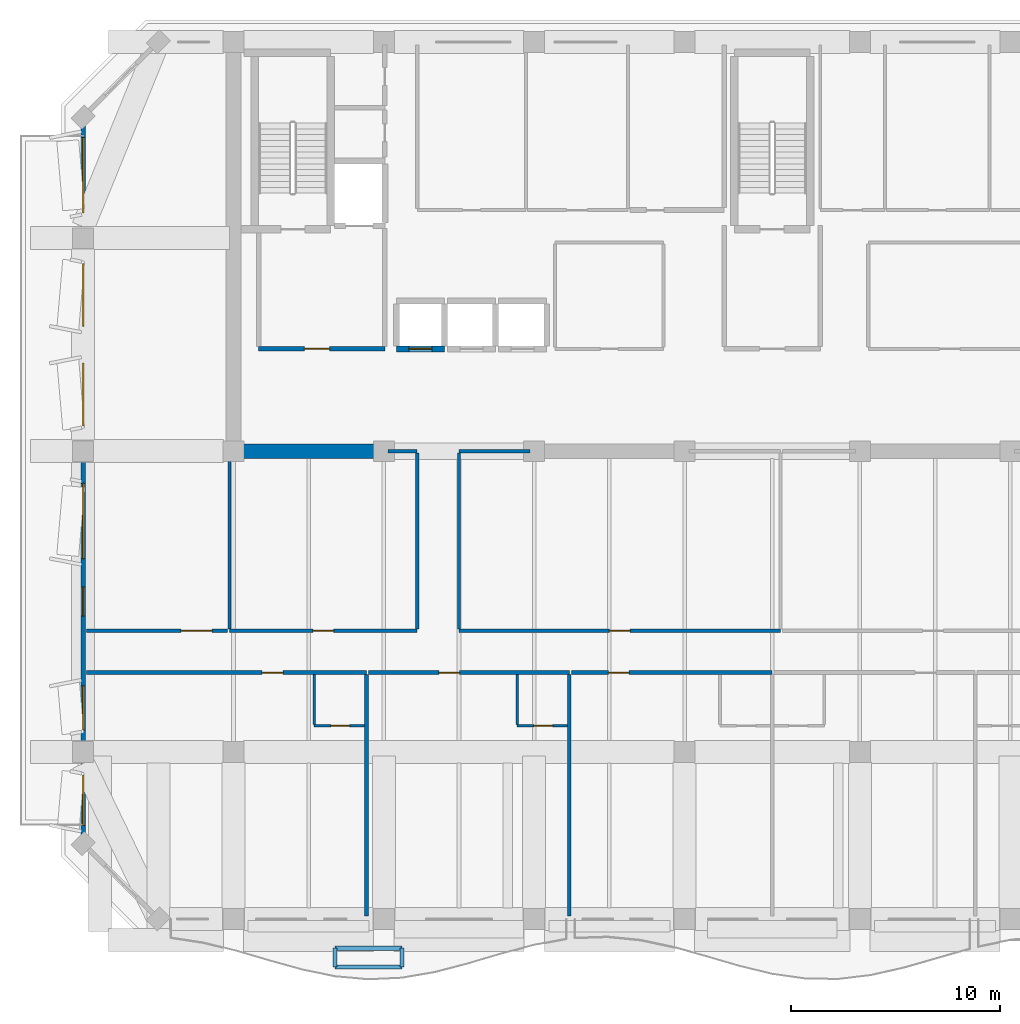
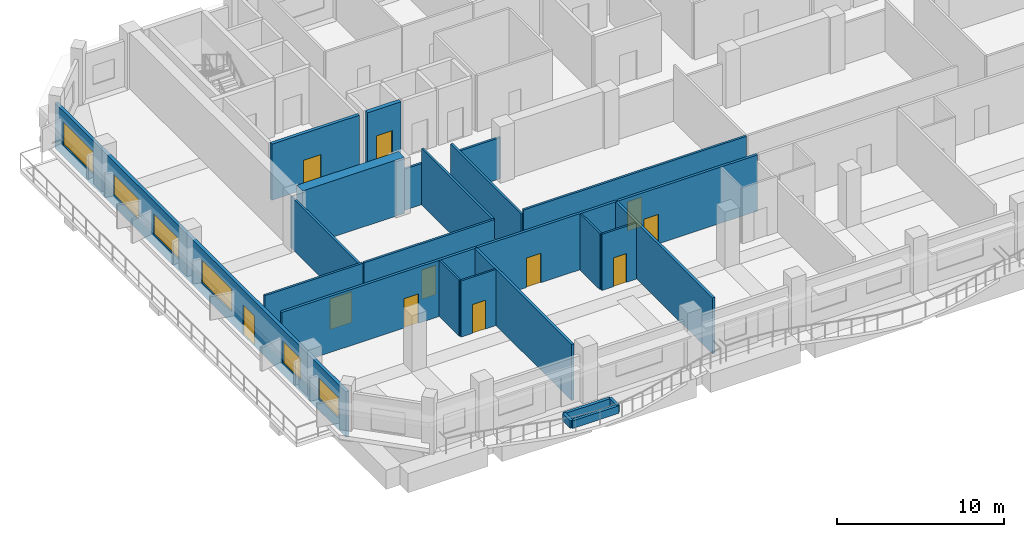
# One storey, part 3 of 12: 25 walls, 11 doors, 6 windows, 17 openings.
"""IFC4 building model written with IfcOpenShell, lengths in metres."""

from ifc_helpers import new_model, si_unit, direction, frame, frame_2d, origin, place, context, subcontext, project, spatial, rectangle, extrude, material, layer, layer_set, type_object, element, fill, save


model = new_model("IFC4")

# Units and contexts
model_context = context("Model", 3, precision=1e-05, world=origin(), true_north=direction((0.0, 1.0)))
body_context = subcontext(model_context, "Body", "Model", "MODEL_VIEW")
ifc_project = project(units=[si_unit("LENGTHUNIT", "METRE"), si_unit("AREAUNIT", "SQUARE_METRE"), si_unit("VOLUMEUNIT", "CUBIC_METRE"), si_unit("PLANEANGLEUNIT", "RADIAN"), si_unit("MASSUNIT", "GRAM", prefix="KILO")], contexts=[model_context])

# Site, building, storey
site_placement = place(None, origin())
site = spatial("IfcSite", under=ifc_project, at=site_placement, CompositionType="ELEMENT")
building_placement = place(site_placement, origin())
building = spatial("IfcBuilding", under=site, at=building_placement, Name="Kaelvorn Grand Hotel", CompositionType="ELEMENT")
storey_placement = place(building_placement, frame((0.0, 0.0, 285.89990234375)))
storey = spatial("IfcBuildingStorey", under=building, at=storey_placement, Name="L70", CompositionType="ELEMENT", Elevation=285.89990234375)

# Wall
ifc_material_1 = material(Name="Concrete C50/60", Category="concrete")
ifc_layer_1 = layer(ifc_material_1, 0.699951171875)
ifc_layer_set_1 = layer_set([ifc_layer_1], Name="Concrete C50/60")
wall_type_1 = type_object("IfcWallType", Name="WL-CORE-700-C50", PredefinedType="SHEAR", material=ifc_layer_set_1)
wall_1_placement = place(storey_placement, frame((16.554931640625, 29.39990234375, 0.0), z_axis=(0.0, 0.0, 1.0), x_axis=(1.0, 0.0, 0.0)))
element("IfcWall", 1, at=wall_1_placement, inside=storey, type_object=wall_type_1, Name="L70 Rear-Core Coupled Shear Pier S1", PredefinedType="SHEAR", context=body_context, shape_type="SweptSolid", body=[
    extrude(rectangle(XDim=7.045166015625, YDim=0.699951171875, at=frame_2d((3.5224609375, 0.0))), origin(), (0.0, 0.0, 1.0), 4.10009765625),
])

# Wall, openings, door, windows
ifc_material_2 = material(Name="Concrete C40/50", Category="concrete")
ifc_layer_2 = layer(ifc_material_2, 0.219970703125)
ifc_layer_set_2 = layer_set([ifc_layer_2], Name="Concrete C40/50")
wall_type_2 = type_object("IfcWallType", Name="WL-EXT-220-C40", PredefinedType="SOLIDWALL", material=ifc_layer_set_2)
wall_2_placement = place(storey_placement, frame((9.0, 45.39990234375, 0.0), z_axis=(0.0, 0.0, 1.0), x_axis=(0.0, -1.0, 0.0)))
wall_2 = element("IfcWall", 2, at=wall_2_placement, inside=storey, type_object=wall_type_2, Name="L70 Exterior Architectural Concrete Wall 07", PredefinedType="SOLIDWALL", context=body_context, shape_type="SweptSolid", body=[
    extrude(rectangle(XDim=34.7998046875, YDim=0.219970703125, at=frame_2d((17.39990234375, 0.0))), origin(), (0.0, 0.0, 1.0), 3.300048828125),
])
opening_1_placement = place(wall_2_placement, frame((22.5, 0.0, 0.0)))
opening_1 = element("IfcOpeningElement", 3, at=opening_1_placement, cuts=wall_2, Name="Opening DE3", PredefinedType="OPENING", context=body_context, shape_type="SweptSolid", body=[
    extrude(rectangle(XDim=1.39990234375, YDim=2.199951171875, at=frame_2d((0.699951171875, 1.10009765625))), frame((0.0, 0.1201171875, 0.0), z_axis=(0.0, -1.0, 0.0), x_axis=(1.0, 0.0, 0.0)), (0.0, 0.0, 1.0), 0.239990234375),
])
opening_2_placement = place(wall_2_placement, frame((31.514892578125, 0.0, 0.85009765625)))
opening_2 = element("IfcOpeningElement", 4, at=opening_2_placement, cuts=wall_2, Name="Opening W6", PredefinedType="OPENING", context=body_context, shape_type="SweptSolid", body=[
    extrude(rectangle(XDim=2.39990234375, YDim=1.5, at=frame_2d((1.199951171875, 0.75))), frame((0.0, 0.1201171875, 0.0), z_axis=(0.0, -1.0, 0.0), x_axis=(1.0, 0.0, 0.0)), (0.0, 0.0, 1.0), 0.239990234375),
])
opening_3_placement = place(wall_2_placement, frame((27.25, 0.0, 0.85009765625)))
opening_3 = element("IfcOpeningElement", 5, at=opening_3_placement, cuts=wall_2, Name="Opening W7", PredefinedType="OPENING", context=body_context, shape_type="SweptSolid", body=[
    extrude(rectangle(XDim=2.10009765625, YDim=1.60009765625, at=frame_2d((1.050048828125, 0.800048828125))), frame((0.0, 0.1201171875, 0.0), z_axis=(0.0, -1.0, 0.0), x_axis=(1.0, 0.0, 0.0)), (0.0, 0.0, 1.0), 0.239990234375),
])
opening_4_placement = place(wall_2_placement, frame((17.5400390625, 0.0, 0.85009765625)))
opening_4 = element("IfcOpeningElement", 6, at=opening_4_placement, cuts=wall_2, Name="Opening W3", PredefinedType="OPENING", context=body_context, shape_type="SweptSolid", body=[
    extrude(rectangle(XDim=3.60009765625, YDim=1.64990234375, at=frame_2d((1.800048828125, 0.824951171875))), frame((0.0, 0.1201171875, 0.0), z_axis=(0.0, -1.0, 0.0), x_axis=(1.0, 0.0, 0.0)), (0.0, 0.0, 1.0), 0.239990234375),
])
opening_5_placement = place(wall_2_placement, frame((11.784912109375, 0.0, 0.85009765625)))
opening_5 = element("IfcOpeningElement", 7, at=opening_5_placement, cuts=wall_2, Name="Opening W5", PredefinedType="OPENING", context=body_context, shape_type="SweptSolid", body=[
    extrude(rectangle(XDim=3.0, YDim=1.5, at=frame_2d((1.5, 0.75))), frame((0.0, 0.1201171875, 0.0), z_axis=(0.0, -1.0, 0.0), x_axis=(1.0, 0.0, 0.0)), (0.0, 0.0, 1.0), 0.239990234375),
])
opening_6_placement = place(wall_2_placement, frame((7.014892578125, 0.0, 0.85009765625)))
opening_6 = element("IfcOpeningElement", 8, at=opening_6_placement, cuts=wall_2, Name="Opening W5", PredefinedType="OPENING", context=body_context, shape_type="SweptSolid", body=[
    extrude(rectangle(XDim=3.0, YDim=1.5, at=frame_2d((1.5, 0.75))), frame((0.0, 0.1201171875, 0.0), z_axis=(0.0, -1.0, 0.0), x_axis=(1.0, 0.0, 0.0)), (0.0, 0.0, 1.0), 0.239990234375),
])
opening_7_placement = place(wall_2_placement, frame((0.985107421875, 0.0, 0.85009765625)))
opening_7 = element("IfcOpeningElement", 9, at=opening_7_placement, cuts=wall_2, Name="Opening W3", PredefinedType="OPENING", context=body_context, shape_type="SweptSolid", body=[
    extrude(rectangle(XDim=3.60009765625, YDim=1.64990234375, at=frame_2d((1.800048828125, 0.824951171875))), frame((0.0, 0.1201171875, 0.0), z_axis=(0.0, -1.0, 0.0), x_axis=(1.0, 0.0, 0.0)), (0.0, 0.0, 1.0), 0.239990234375),
])
ifc_material_3 = material(Name="Anodised Aluminium", Category="aluminium")
door_type_1 = type_object("IfcDoorType", Name="DR-EXT-TERR-1400x2200", OperationType="NOTDEFINED", PredefinedType="DOOR", material=ifc_material_3)
door_1_placement = place(opening_1_placement, origin())
door_1 = element("IfcDoor", 10, at=door_1_placement, inside=storey, type_object=door_type_1, Name="L70 West Setback Terrace Step-Free Door DE3-W", OperationType="SINGLE_SWING_LEFT", OverallHeight=2.199951171875, OverallWidth=1.39990234375, PredefinedType="DOOR", context=body_context, shape_type="SweptSolid", body=[
    extrude(rectangle(XDim=1.39990234375, YDim=2.199951171875, at=frame_2d((0.699951171875, 1.10009765625))), frame((0.0, 0.02490234375, 0.0), z_axis=(0.0, -1.0, 0.0), x_axis=(1.0, 0.0, 0.0)), (0.0, 0.0, 1.0), 0.050048828125),
])
fill(opening_1, door_1)
ifc_material_4 = material(Name="Laminated Low-E Glass", Category="glass")
window_type_1 = type_object("IfcWindowType", Name="WIN-CHM-2100x1600", PartitioningType="SINGLE_PANEL", PredefinedType="WINDOW", material=ifc_material_4)
window_1_placement = place(opening_3_placement, origin())
window_1 = element("IfcWindow", 11, at=window_1_placement, inside=storey, type_object=window_type_1, Name="L70 W Wing Tilted-Frame Ribbon Window W02", OverallHeight=1.60009765625, OverallWidth=2.10009765625, PartitioningType="SINGLE_PANEL", PredefinedType="WINDOW", context=body_context, shape_type="SweptSolid", body=[
    extrude(rectangle(XDim=2.10009765625, YDim=1.60009765625, at=frame_2d((1.050048828125, 0.800048828125))), frame((0.0, 0.030029296875, 0.0), z_axis=(0.0, -1.0, 0.0), x_axis=(1.0, 0.0, 0.0)), (0.0, 0.0, 1.0), 0.06005859375),
])
fill(opening_3, window_1)
window_type_2 = type_object("IfcWindowType", Name="WIN-NTH-2400x1500", PartitioningType="SINGLE_PANEL", PredefinedType="WINDOW", material=ifc_material_4)
window_2_placement = place(opening_2_placement, origin())
window_2 = element("IfcWindow", 12, at=window_2_placement, inside=storey, type_object=window_type_2, Name="L70 W Wing Tilted-Frame Ribbon Window W01", OverallHeight=1.5, OverallWidth=2.39990234375, PartitioningType="SINGLE_PANEL", PredefinedType="WINDOW", context=body_context, shape_type="SweptSolid", body=[
    extrude(rectangle(XDim=2.39990234375, YDim=1.5, at=frame_2d((1.199951171875, 0.75))), frame((0.0, 0.030029296875, 0.0), z_axis=(0.0, -1.0, 0.0), x_axis=(1.0, 0.0, 0.0)), (0.0, 0.0, 1.0), 0.06005859375),
])
fill(opening_2, window_2)
window_type_3 = type_object("IfcWindowType", Name="WIN-NTH-3000x1500", PartitioningType="SINGLE_PANEL", PredefinedType="WINDOW", material=ifc_material_4)
window_3_placement = place(opening_5_placement, origin())
window_3 = element("IfcWindow", 13, at=window_3_placement, inside=storey, type_object=window_type_3, Name="L70 W Wing Tilted-Frame Ribbon Window W04", OverallHeight=1.5, OverallWidth=3.0, PartitioningType="SINGLE_PANEL", PredefinedType="WINDOW", context=body_context, shape_type="SweptSolid", body=[
    extrude(rectangle(XDim=3.0, YDim=1.5, at=frame_2d((1.5, 0.75))), frame((0.0, 0.030029296875, 0.0), z_axis=(0.0, -1.0, 0.0), x_axis=(1.0, 0.0, 0.0)), (0.0, 0.0, 1.0), 0.06005859375),
])
fill(opening_5, window_3)
window_4_placement = place(opening_6_placement, origin())
window_4 = element("IfcWindow", 14, at=window_4_placement, inside=storey, type_object=window_type_3, Name="L70 W Wing Tilted-Frame Ribbon Window W05", OverallHeight=1.5, OverallWidth=3.0, PartitioningType="SINGLE_PANEL", PredefinedType="WINDOW", context=body_context, shape_type="SweptSolid", body=[
    extrude(rectangle(XDim=3.0, YDim=1.5, at=frame_2d((1.5, 0.75))), frame((0.0, 0.030029296875, 0.0), z_axis=(0.0, -1.0, 0.0), x_axis=(1.0, 0.0, 0.0)), (0.0, 0.0, 1.0), 0.06005859375),
])
fill(opening_6, window_4)
window_type_4 = type_object("IfcWindowType", Name="WIN-RIB-3600x1750", PartitioningType="SINGLE_PANEL", PredefinedType="WINDOW", material=ifc_material_4)
window_5_placement = place(opening_4_placement, origin())
window_5 = element("IfcWindow", 15, at=window_5_placement, inside=storey, type_object=window_type_4, Name="L70 W Wing Tilted-Frame Ribbon Window W03", OverallHeight=1.64990234375, OverallWidth=3.60009765625, PartitioningType="SINGLE_PANEL", PredefinedType="WINDOW", context=body_context, shape_type="SweptSolid", body=[
    extrude(rectangle(XDim=3.60009765625, YDim=1.64990234375, at=frame_2d((1.800048828125, 0.824951171875))), frame((0.0, 0.030029296875, 0.0), z_axis=(0.0, -1.0, 0.0), x_axis=(1.0, 0.0, 0.0)), (0.0, 0.0, 1.0), 0.06005859375),
])
fill(opening_4, window_5)
window_6_placement = place(opening_7_placement, origin())
window_6 = element("IfcWindow", 16, at=window_6_placement, inside=storey, type_object=window_type_4, Name="L70 W Wing Tilted-Frame Ribbon Window W06", OverallHeight=1.64990234375, OverallWidth=3.60009765625, PartitioningType="SINGLE_PANEL", PredefinedType="WINDOW", context=body_context, shape_type="SweptSolid", body=[
    extrude(rectangle(XDim=3.60009765625, YDim=1.64990234375, at=frame_2d((1.800048828125, 0.824951171875))), frame((0.0, 0.030029296875, 0.0), z_axis=(0.0, -1.0, 0.0), x_axis=(1.0, 0.0, 0.0)), (0.0, 0.0, 1.0), 0.06005859375),
])
fill(opening_7, window_6)

# Wall, opening, door
ifc_material_5 = material(Name="Moisture-Resistant Tile & Stud Board")
ifc_layer_3 = layer(ifc_material_5, 0.125)
ifc_layer_set_3 = layer_set([ifc_layer_3], Name="Moisture-Resistant Tile & Stud Board")
wall_type_3 = type_object("IfcWallType", Name="WL-PART-125-WET", PredefinedType="PARTITIONING", material=ifc_layer_set_3)
wall_3_placement = place(storey_placement, frame((20.066650390625, 16.25, 0.0), z_axis=(0.0, 0.0, 1.0), x_axis=(1.0, 0.0, 0.0)))
wall_3 = element("IfcWall", 17, at=wall_3_placement, inside=storey, type_object=wall_type_3, Name="L70 En-suite Bathroom L70-01 S Partition", PredefinedType="PARTITIONING", context=body_context, shape_type="SweptSolid", body=[
    extrude(rectangle(XDim=2.405029296875, YDim=0.125, at=frame_2d((1.20263671875, 0.0))), origin(), (0.0, 0.0, 1.0), 4.10009765625),
])
opening_8_placement = place(wall_3_placement, frame((0.800048828125, 0.0, 0.0)))
opening_8 = element("IfcOpeningElement", 18, at=opening_8_placement, cuts=wall_3, Name="Opening DI4", PredefinedType="OPENING", context=body_context, shape_type="SweptSolid", body=[
    extrude(rectangle(XDim=0.89990234375, YDim=2.10009765625, at=frame_2d((0.449951171875, 1.050048828125))), frame((0.0, 0.072509765625, 0.0), z_axis=(0.0, -1.0, 0.0), x_axis=(1.0, 0.0, 0.0)), (0.0, 0.0, 1.0), 0.14501953125),
])
ifc_material_6 = material(Name="Timber Veneer Leaf", Category="wood")
door_type_2 = type_object("IfcDoorType", Name="DR-INT-BATH-900x2100", OperationType="NOTDEFINED", PredefinedType="DOOR", material=ifc_material_6)
door_2_placement = place(opening_8_placement, origin())
door_2 = element("IfcDoor", 19, at=door_2_placement, inside=storey, type_object=door_type_2, Name="L70 En-suite Bathroom L70-01 Door", OperationType="SINGLE_SWING_RIGHT", OverallHeight=2.10009765625, OverallWidth=0.89990234375, PredefinedType="DOOR", context=body_context, shape_type="SweptSolid", body=[
    extrude(rectangle(XDim=0.89990234375, YDim=2.10009765625, at=frame_2d((0.449951171875, 1.050048828125))), frame((0.0, 0.02490234375, 0.0), z_axis=(0.0, -1.0, 0.0), x_axis=(1.0, 0.0, 0.0)), (0.0, 0.0, 1.0), 0.050048828125),
])
fill(opening_8, door_2)

# Wall
wall_4_placement = place(storey_placement, frame((20.066650390625, 16.3173828125, 0.0), z_axis=(0.0, 0.0, 1.0), x_axis=(0.0, 1.0, 0.0)))
element("IfcWall", 20, at=wall_4_placement, inside=storey, type_object=wall_type_3, Name="L70 En-suite Bathroom L70-01 W Partition", PredefinedType="PARTITIONING", context=body_context, shape_type="SweptSolid", body=[
    extrude(rectangle(XDim=2.3876953125, YDim=0.125, at=frame_2d((1.19384765625, 0.0))), origin(), (0.0, 0.0, 1.0), 4.10009765625),
])

# Wall, opening, door
wall_5_placement = place(storey_placement, frame((29.783203125, 16.25, 0.0), z_axis=(0.0, 0.0, 1.0), x_axis=(1.0, 0.0, 0.0)))
wall_5 = element("IfcWall", 21, at=wall_5_placement, inside=storey, type_object=wall_type_3, Name="L70 En-suite Bathroom L70-02 S Partition", PredefinedType="PARTITIONING", context=body_context, shape_type="SweptSolid", body=[
    extrude(rectangle(XDim=2.405029296875, YDim=0.125, at=frame_2d((1.20263671875, 0.0))), origin(), (0.0, 0.0, 1.0), 4.10009765625),
])
opening_9_placement = place(wall_5_placement, frame((0.800048828125, 0.0, 0.0)))
opening_9 = element("IfcOpeningElement", 22, at=opening_9_placement, cuts=wall_5, Name="Opening DI4", PredefinedType="OPENING", context=body_context, shape_type="SweptSolid", body=[
    extrude(rectangle(XDim=0.89990234375, YDim=2.10009765625, at=frame_2d((0.449951171875, 1.050048828125))), frame((0.0, 0.072509765625, 0.0), z_axis=(0.0, -1.0, 0.0), x_axis=(1.0, 0.0, 0.0)), (0.0, 0.0, 1.0), 0.14501953125),
])
door_3_placement = place(opening_9_placement, origin())
door_3 = element("IfcDoor", 23, at=door_3_placement, inside=storey, type_object=door_type_2, Name="L70 En-suite Bathroom L70-02 Door", OperationType="SINGLE_SWING_RIGHT", OverallHeight=2.10009765625, OverallWidth=0.89990234375, PredefinedType="DOOR", context=body_context, shape_type="SweptSolid", body=[
    extrude(rectangle(XDim=0.89990234375, YDim=2.10009765625, at=frame_2d((0.449951171875, 1.050048828125))), frame((0.0, 0.02490234375, 0.0), z_axis=(0.0, -1.0, 0.0), x_axis=(1.0, 0.0, 0.0)), (0.0, 0.0, 1.0), 0.050048828125),
])
fill(opening_9, door_3)

# Wall
wall_6_placement = place(storey_placement, frame((29.783203125, 16.3173828125, 0.0), z_axis=(0.0, 0.0, 1.0), x_axis=(0.0, 1.0, 0.0)))
element("IfcWall", 24, at=wall_6_placement, inside=storey, type_object=wall_type_3, Name="L70 En-suite Bathroom L70-02 W Partition", PredefinedType="PARTITIONING", context=body_context, shape_type="SweptSolid", body=[
    extrude(rectangle(XDim=2.3876953125, YDim=0.125, at=frame_2d((1.19384765625, 0.0))), origin(), (0.0, 0.0, 1.0), 4.10009765625),
])

# Wall, opening, door
ifc_material_7 = material(Name="Acoustic Gypsum & Stud Partition")
ifc_layer_4 = layer(ifc_material_7, 0.14990234375)
ifc_layer_set_4 = layer_set([ifc_layer_4], Name="Acoustic Gypsum & Stud Partition")
wall_type_4 = type_object("IfcWallType", Name="WL-PART-150-EI60", PredefinedType="PARTITIONING", material=ifc_layer_set_4)
wall_7_placement = place(storey_placement, frame((16.0, 20.800048828125, 0.0), z_axis=(0.0, 0.0, 1.0), x_axis=(1.0, 0.0, 0.0)))
wall_7 = element("IfcWall", 25, at=wall_7_placement, inside=storey, type_object=wall_type_4, Name="L70 Private Cinema Lounge S Partition", PredefinedType="PARTITIONING", context=body_context, shape_type="SweptSolid", body=[
    extrude(rectangle(XDim=9.0, YDim=0.14990234375, at=frame_2d((4.5, 0.0))), origin(), (0.0, 0.0, 1.0), 4.10009765625),
])
opening_10_placement = place(wall_7_placement, frame((4.0, 0.0, 0.0)))
opening_10 = element("IfcOpeningElement", 26, at=opening_10_placement, cuts=wall_7, Name="Opening DI3", PredefinedType="OPENING", context=body_context, shape_type="SweptSolid", body=[
    extrude(rectangle(XDim=1.0, YDim=2.14990234375, at=frame_2d((0.5, 1.074951171875))), frame((0.0, 0.0849609375, 0.0), z_axis=(0.0, -1.0, 0.0), x_axis=(1.0, 0.0, 0.0)), (0.0, 0.0, 1.0), 0.169921875),
])
ifc_material_8 = material(Name="Timber Veneer Fire Leaf", Category="wood")
door_type_3 = type_object("IfcDoorType", Name="DR-INT-GUEST-1000x2150", OperationType="NOTDEFINED", PredefinedType="DOOR", material=ifc_material_8)
door_4_placement = place(opening_10_placement, origin())
door_4 = element("IfcDoor", 27, at=door_4_placement, inside=storey, type_object=door_type_3, Name="L70 Private Cinema Lounge Door", OperationType="SINGLE_SWING_LEFT", OverallHeight=2.14990234375, OverallWidth=1.0, PredefinedType="DOOR", context=body_context, shape_type="SweptSolid", body=[
    extrude(rectangle(XDim=1.0, YDim=2.14990234375, at=frame_2d((0.5, 1.074951171875))), frame((0.0, 0.02490234375, 0.0), z_axis=(0.0, -1.0, 0.0), x_axis=(1.0, 0.0, 0.0)), (0.0, 0.0, 1.0), 0.050048828125),
])
fill(opening_10, door_4)

# Walls
wall_8_placement = place(storey_placement, frame((23.610107421875, 29.39990234375, 0.0), z_axis=(0.0, 0.0, 1.0), x_axis=(1.0, 0.0, 0.0)))
element("IfcWall", 28, at=wall_8_placement, inside=storey, type_object=wall_type_4, Name="L70 Private Cinema Lounge N Partition", PredefinedType="PARTITIONING", context=body_context, shape_type="SweptSolid", body=[
    extrude(rectangle(XDim=1.389892578125, YDim=0.14990234375, at=frame_2d((0.69482421875, 0.0))), origin(), (0.0, 0.0, 1.0), 3.0),
])
wall_9_placement = place(storey_placement, frame((16.0, 20.8798828125, 0.0), z_axis=(0.0, 0.0, 1.0), x_axis=(0.0, 1.0, 0.0)))
element("IfcWall", 29, at=wall_9_placement, inside=storey, type_object=wall_type_4, Name="L70 Private Cinema Lounge W Partition", PredefinedType="PARTITIONING", context=body_context, shape_type="SweptSolid", body=[
    extrude(rectangle(XDim=8.510009765625, YDim=0.14990234375, at=frame_2d((4.2548828125, 0.0))), origin(), (0.0, 0.0, 1.0), 3.739990234375),
])
wall_10_placement = place(storey_placement, frame((25.0, 20.8798828125, 0.0), z_axis=(0.0, 0.0, 1.0), x_axis=(0.0, 1.0, 0.0)))
element("IfcWall", 30, at=wall_10_placement, inside=storey, type_object=wall_type_4, Name="L70 Private Cinema Lounge E Partition", PredefinedType="PARTITIONING", context=body_context, shape_type="SweptSolid", body=[
    extrude(rectangle(XDim=8.440185546875, YDim=0.14990234375, at=frame_2d((4.22021484375, 0.0))), origin(), (0.0, 0.0, 1.0), 4.10009765625),
])

# Wall, opening, door
wall_11_placement = place(storey_placement, frame((27.0, 20.800048828125, 0.0), z_axis=(0.0, 0.0, 1.0), x_axis=(1.0, 0.0, 0.0)))
wall_11 = element("IfcWall", 31, at=wall_11_placement, inside=storey, type_object=wall_type_4, Name="L70 Sommelier Wine Bar S Partition", PredefinedType="PARTITIONING", context=body_context, shape_type="SweptSolid", body=[
    extrude(rectangle(XDim=15.39990234375, YDim=0.14990234375, at=frame_2d((7.699951171875, 0.0))), origin(), (0.0, 0.0, 1.0), 4.10009765625),
])
opening_11_placement = place(wall_11_placement, frame((7.199951171875, 0.0, 0.0)))
opening_11 = element("IfcOpeningElement", 32, at=opening_11_placement, cuts=wall_11, Name="Opening DI3", PredefinedType="OPENING", context=body_context, shape_type="SweptSolid", body=[
    extrude(rectangle(XDim=1.0, YDim=2.14990234375, at=frame_2d((0.5, 1.074951171875))), frame((0.0, 0.0849609375, 0.0), z_axis=(0.0, -1.0, 0.0), x_axis=(1.0, 0.0, 0.0)), (0.0, 0.0, 1.0), 0.169921875),
])
door_5_placement = place(opening_11_placement, origin())
door_5 = element("IfcDoor", 33, at=door_5_placement, inside=storey, type_object=door_type_3, Name="L70 Sommelier Wine Bar Door", OperationType="SINGLE_SWING_RIGHT", OverallHeight=2.14990234375, OverallWidth=1.0, PredefinedType="DOOR", context=body_context, shape_type="SweptSolid", body=[
    extrude(rectangle(XDim=1.0, YDim=2.14990234375, at=frame_2d((0.5, 1.074951171875))), frame((0.0, 0.02490234375, 0.0), z_axis=(0.0, -1.0, 0.0), x_axis=(1.0, 0.0, 0.0)), (0.0, 0.0, 1.0), 0.050048828125),
])
fill(opening_11, door_5)

# Walls
wall_12_placement = place(storey_placement, frame((27.0, 29.39990234375, 0.0), z_axis=(0.0, 0.0, 1.0), x_axis=(1.0, 0.0, 0.0)))
element("IfcWall", 34, at=wall_12_placement, inside=storey, type_object=wall_type_4, Name="L70 Sommelier Wine Bar N Partition (1)", PredefinedType="PARTITIONING", context=body_context, shape_type="SweptSolid", body=[
    extrude(rectangle(XDim=3.389892578125, YDim=0.14990234375, at=frame_2d((1.69482421875, 0.0))), origin(), (0.0, 0.0, 1.0), 3.0),
])
wall_13_placement = place(storey_placement, frame((27.0, 20.8798828125, 0.0), z_axis=(0.0, 0.0, 1.0), x_axis=(0.0, 1.0, 0.0)))
element("IfcWall", 35, at=wall_13_placement, inside=storey, type_object=wall_type_4, Name="L70 Sommelier Wine Bar W Partition", PredefinedType="PARTITIONING", context=body_context, shape_type="SweptSolid", body=[
    extrude(rectangle(XDim=8.440185546875, YDim=0.14990234375, at=frame_2d((4.22021484375, 0.0))), origin(), (0.0, 0.0, 1.0), 3.739990234375),
])

# Wall, opening, door
wall_14_placement = place(storey_placement, frame((9.14990234375, 20.800048828125, 0.0), z_axis=(0.0, 0.0, 1.0), x_axis=(1.0, 0.0, 0.0)))
wall_14 = element("IfcWall", 36, at=wall_14_placement, inside=storey, type_object=wall_type_4, Name="L70 West Sky Press Briefing Office S Partition", PredefinedType="PARTITIONING", context=body_context, shape_type="SweptSolid", body=[
    extrude(rectangle(XDim=6.77001953125, YDim=0.14990234375, at=frame_2d((3.385009765625, 0.0))), origin(), (0.0, 0.0, 1.0), 4.10009765625),
])
opening_12_placement = place(wall_14_placement, frame((4.530029296875, 0.0, 0.0)))
opening_12 = element("IfcOpeningElement", 37, at=opening_12_placement, cuts=wall_14, Name="Opening DI5", PredefinedType="OPENING", context=body_context, shape_type="SweptSolid", body=[
    extrude(rectangle(XDim=1.5, YDim=2.25, at=frame_2d((0.75, 1.125))), frame((0.0, 0.0849609375, 0.0), z_axis=(0.0, -1.0, 0.0), x_axis=(1.0, 0.0, 0.0)), (0.0, 0.0, 1.0), 0.169921875),
])
door_type_4 = type_object("IfcDoorType", Name="DR-INT-SALON-1500x2250", OperationType="DOUBLE_DOOR_SINGLE_SWING", PredefinedType="DOOR", material=ifc_material_8)
door_6_placement = place(opening_12_placement, origin())
door_6 = element("IfcDoor", 38, at=door_6_placement, inside=storey, type_object=door_type_4, Name="L70 West Sky Press Briefing Office Door", OperationType="DOUBLE_DOOR_SINGLE_SWING", OverallHeight=2.25, OverallWidth=1.5, PredefinedType="DOOR", context=body_context, shape_type="SweptSolid", body=[
    extrude(rectangle(XDim=1.5, YDim=2.25, at=frame_2d((0.75, 1.125))), frame((0.0, 0.02490234375, 0.0), z_axis=(0.0, -1.0, 0.0), x_axis=(1.0, 0.0, 0.0)), (0.0, 0.0, 1.0), 0.050048828125),
])
fill(opening_12, door_6)

ifc_layer_5 = layer(ifc_material_7, 0.179931640625)
ifc_layer_set_5 = layer_set([ifc_layer_5], Name="Acoustic Gypsum & Stud Partition")
wall_type_5 = type_object("IfcWallType", Name="WL-PART-180-EI60", PredefinedType="PARTITIONING", material=ifc_layer_set_5)
wall_15_placement = place(storey_placement, frame((9.14990234375, 18.800048828125, 0.0), z_axis=(0.0, 0.0, 1.0), x_axis=(1.0, 0.0, 0.0)))
wall_15 = element("IfcWall", 39, at=wall_15_placement, inside=storey, type_object=wall_type_5, Name="L70 Presidential Sky Suite L70-01 N Partition", PredefinedType="PARTITIONING", context=body_context, shape_type="SweptSolid", body=[
    extrude(rectangle(XDim=13.416748046875, YDim=0.179931640625, at=frame_2d((6.70849609375, 0.0))), origin(), (0.0, 0.0, 1.0), 4.10009765625),
])
opening_13_placement = place(wall_15_placement, frame((8.42333984375, 0.0, 0.0)))
opening_13 = element("IfcOpeningElement", 40, at=opening_13_placement, cuts=wall_15, Name="Opening DI3", PredefinedType="OPENING", context=body_context, shape_type="SweptSolid", body=[
    extrude(rectangle(XDim=1.0, YDim=2.14990234375, at=frame_2d((0.5, 1.074951171875))), frame((0.0, 0.10009765625, 0.0), z_axis=(0.0, -1.0, 0.0), x_axis=(1.0, 0.0, 0.0)), (0.0, 0.0, 1.0), 0.199951171875),
])
door_7_placement = place(opening_13_placement, origin())
door_7 = element("IfcDoor", 41, at=door_7_placement, inside=storey, type_object=door_type_3, Name="L70 Presidential Sky Suite L70-01 Door", OperationType="SINGLE_SWING_LEFT", OverallHeight=2.14990234375, OverallWidth=1.0, PredefinedType="DOOR", context=body_context, shape_type="SweptSolid", body=[
    extrude(rectangle(XDim=1.0, YDim=2.14990234375, at=frame_2d((0.5, 1.074951171875))), frame((0.0, 0.02490234375, 0.0), z_axis=(0.0, -1.0, 0.0), x_axis=(1.0, 0.0, 0.0)), (0.0, 0.0, 1.0), 0.050048828125),
])
fill(opening_13, door_7)

# Wall
wall_16_placement = place(storey_placement, frame((22.566650390625, 7.14990234375, 0.0), z_axis=(0.0, 0.0, 1.0), x_axis=(0.0, 1.0, 0.0)))
element("IfcWall", 42, at=wall_16_placement, inside=storey, type_object=wall_type_5, Name="L70 Presidential Sky Suite L70-01 E Partition", PredefinedType="PARTITIONING", context=body_context, shape_type="SweptSolid", body=[
    extrude(rectangle(XDim=11.55517578125, YDim=0.179931640625, at=frame_2d((5.777587890625, 0.0))), origin(), (0.0, 0.0, 1.0), 4.10009765625),
])

# Wall, opening, door
wall_17_placement = place(storey_placement, frame((22.66162109375, 18.800048828125, 0.0), z_axis=(0.0, 0.0, 1.0), x_axis=(1.0, 0.0, 0.0)))
wall_17 = element("IfcWall", 43, at=wall_17_placement, inside=storey, type_object=wall_type_5, Name="L70 Presidential Sky Suite L70-02 N Partition", PredefinedType="PARTITIONING", context=body_context, shape_type="SweptSolid", body=[
    extrude(rectangle(XDim=9.62158203125, YDim=0.179931640625, at=frame_2d((4.810791015625, 0.0))), origin(), (0.0, 0.0, 1.0), 4.10009765625),
])
opening_14_placement = place(wall_17_placement, frame((3.369873046875, 0.0, 0.0)))
opening_14 = element("IfcOpeningElement", 44, at=opening_14_placement, cuts=wall_17, Name="Opening DI3", PredefinedType="OPENING", context=body_context, shape_type="SweptSolid", body=[
    extrude(rectangle(XDim=1.0, YDim=2.14990234375, at=frame_2d((0.5, 1.074951171875))), frame((0.0, 0.10009765625, 0.0), z_axis=(0.0, -1.0, 0.0), x_axis=(1.0, 0.0, 0.0)), (0.0, 0.0, 1.0), 0.199951171875),
])
door_8_placement = place(opening_14_placement, origin())
door_8 = element("IfcDoor", 45, at=door_8_placement, inside=storey, type_object=door_type_3, Name="L70 Presidential Sky Suite L70-02 Door", OperationType="SINGLE_SWING_LEFT", OverallHeight=2.14990234375, OverallWidth=1.0, PredefinedType="DOOR", context=body_context, shape_type="SweptSolid", body=[
    extrude(rectangle(XDim=1.0, YDim=2.14990234375, at=frame_2d((0.5, 1.074951171875))), frame((0.0, 0.02490234375, 0.0), z_axis=(0.0, -1.0, 0.0), x_axis=(1.0, 0.0, 0.0)), (0.0, 0.0, 1.0), 0.050048828125),
])
fill(opening_14, door_8)

# Wall
wall_18_placement = place(storey_placement, frame((32.283203125, 7.14990234375, 0.0), z_axis=(0.0, 0.0, 1.0), x_axis=(0.0, 1.0, 0.0)))
element("IfcWall", 46, at=wall_18_placement, inside=storey, type_object=wall_type_5, Name="L70 Presidential Sky Suite L70-02 E Partition", PredefinedType="PARTITIONING", context=body_context, shape_type="SweptSolid", body=[
    extrude(rectangle(XDim=11.55517578125, YDim=0.179931640625, at=frame_2d((5.777587890625, 0.0))), origin(), (0.0, 0.0, 1.0), 4.10009765625),
])

# Wall, opening, door
wall_19_placement = place(storey_placement, frame((32.37841796875, 18.800048828125, 0.0), z_axis=(0.0, 0.0, 1.0), x_axis=(1.0, 0.0, 0.0)))
wall_19 = element("IfcWall", 47, at=wall_19_placement, inside=storey, type_object=wall_type_5, Name="L70 Presidential Sky Suite L70-03 N Partition", PredefinedType="PARTITIONING", context=body_context, shape_type="SweptSolid", body=[
    extrude(rectangle(XDim=9.62158203125, YDim=0.179931640625, at=frame_2d((4.810791015625, 0.0))), origin(), (0.0, 0.0, 1.0), 4.10009765625),
])
opening_15_placement = place(wall_19_placement, frame((1.773193359375, 0.0, 0.0)))
opening_15 = element("IfcOpeningElement", 48, at=opening_15_placement, cuts=wall_19, Name="Opening DI3", PredefinedType="OPENING", context=body_context, shape_type="SweptSolid", body=[
    extrude(rectangle(XDim=1.0, YDim=2.14990234375, at=frame_2d((0.5, 1.074951171875))), frame((0.0, 0.10009765625, 0.0), z_axis=(0.0, -1.0, 0.0), x_axis=(1.0, 0.0, 0.0)), (0.0, 0.0, 1.0), 0.199951171875),
])
door_9_placement = place(opening_15_placement, origin())
door_9 = element("IfcDoor", 49, at=door_9_placement, inside=storey, type_object=door_type_3, Name="L70 Presidential Sky Suite L70-03 Door", OperationType="SINGLE_SWING_LEFT", OverallHeight=2.14990234375, OverallWidth=1.0, PredefinedType="DOOR", context=body_context, shape_type="SweptSolid", body=[
    extrude(rectangle(XDim=1.0, YDim=2.14990234375, at=frame_2d((0.5, 1.074951171875))), frame((0.0, 0.02490234375, 0.0), z_axis=(0.0, -1.0, 0.0), x_axis=(1.0, 0.0, 0.0)), (0.0, 0.0, 1.0), 0.050048828125),
])
fill(opening_15, door_9)

ifc_layer_6 = layer(ifc_material_2, 0.219970703125)
ifc_layer_set_6 = layer_set([ifc_layer_6], Name="Concrete C40/50")
wall_type_6 = type_object("IfcWallType", Name="WL-PART-220-EI120", PredefinedType="PARTITIONING", material=ifc_layer_set_6)
wall_20_placement = place(storey_placement, frame((17.39990234375, 34.300048828125, 0.0), z_axis=(0.0, 0.0, 1.0), x_axis=(1.0, 0.0, 0.0)))
wall_20 = element("IfcWall", 50, at=wall_20_placement, inside=storey, type_object=wall_type_6, Name="L70 Firefighting Lift Lobby 1 S Partition", PredefinedType="PARTITIONING", context=body_context, shape_type="SweptSolid", body=[
    extrude(rectangle(XDim=6.050048828125, YDim=0.219970703125, at=frame_2d((3.02490234375, 0.0))), origin(), (0.0, 0.0, 1.0), 4.10009765625),
])
opening_16_placement = place(wall_20_placement, frame((2.199951171875, 0.0, 0.0)))
opening_16 = element("IfcOpeningElement", 51, at=opening_16_placement, cuts=wall_20, Name="Opening DI2", PredefinedType="OPENING", context=body_context, shape_type="SweptSolid", body=[
    extrude(rectangle(XDim=1.199951171875, YDim=2.14990234375, at=frame_2d((0.60009765625, 1.074951171875))), frame((0.0, 0.1201171875, 0.0), z_axis=(0.0, -1.0, 0.0), x_axis=(1.0, 0.0, 0.0)), (0.0, 0.0, 1.0), 0.239990234375),
])
door_type_5 = type_object("IfcDoorType", Name="DR-INT-FFLOB-1200x2150", OperationType="NOTDEFINED", PredefinedType="DOOR", material=ifc_material_8)
door_10_placement = place(opening_16_placement, origin())
door_10 = element("IfcDoor", 52, at=door_10_placement, inside=storey, type_object=door_type_5, Name="L70 Firefighting Lift Lobby 1 Door", OperationType="SINGLE_SWING_LEFT", OverallHeight=2.14990234375, OverallWidth=1.199951171875, PredefinedType="DOOR", context=body_context, shape_type="SweptSolid", body=[
    extrude(rectangle(XDim=1.199951171875, YDim=2.14990234375, at=frame_2d((0.60009765625, 1.074951171875))), frame((0.0, 0.02490234375, 0.0), z_axis=(0.0, -1.0, 0.0), x_axis=(1.0, 0.0, 0.0)), (0.0, 0.0, 1.0), 0.050048828125),
])
fill(opening_16, door_10)

ifc_layer_7 = layer(ifc_material_1, 0.280029296875)
ifc_layer_set_7 = layer_set([ifc_layer_7], Name="Concrete C50/60")
wall_type_7 = type_object("IfcWallType", Name="WL-SHAFT-280-C50", PredefinedType="SHEAR", material=ifc_layer_set_7)
wall_21_placement = place(storey_placement, frame((24.0, 34.300048828125, 0.0), z_axis=(0.0, 0.0, 1.0), x_axis=(1.0, 0.0, 0.0)))
wall_21 = element("IfcWall", 53, at=wall_21_placement, inside=storey, type_object=wall_type_7, Name="L70 Lift PL-H1 Shaft South Wall", PredefinedType="SHEAR", context=body_context, shape_type="SweptSolid", body=[
    extrude(rectangle(XDim=2.300048828125, YDim=0.280029296875, at=frame_2d((1.14990234375, 0.0))), origin(), (0.0, 0.0, 1.0), 4.10009765625),
])
opening_17_placement = place(wall_21_placement, frame((0.60009765625, 0.0, 0.0)))
opening_17 = element("IfcOpeningElement", 54, at=opening_17_placement, cuts=wall_21, Name="Opening LD-PL-H1", PredefinedType="OPENING", context=body_context, shape_type="SweptSolid", body=[
    extrude(rectangle(XDim=1.10009765625, YDim=2.199951171875, at=frame_2d((0.550048828125, 1.10009765625))), frame((0.0, 0.14990234375, 0.0), z_axis=(0.0, -1.0, 0.0), x_axis=(1.0, 0.0, 0.0)), (0.0, 0.0, 1.0), 0.300048828125),
])
ifc_material_9 = material(Name="Stainless Steel", Category="steel")
door_type_6 = type_object("IfcDoorType", Name="DR-LIFT-PASS-1100x2200", OperationType="DOUBLE_DOOR_SLIDING", PredefinedType="DOOR", material=ifc_material_9)
door_11_placement = place(opening_17_placement, origin())
door_11 = element("IfcDoor", 55, at=door_11_placement, inside=storey, type_object=door_type_6, Name="L70 Lift PL-H1 Sliding Landing Door LD-PL-H1", OperationType="DOUBLE_DOOR_SLIDING", OverallHeight=2.199951171875, OverallWidth=1.10009765625, PredefinedType="DOOR", context=body_context, shape_type="SweptSolid", body=[
    extrude(rectangle(XDim=1.10009765625, YDim=2.199951171875, at=frame_2d((0.550048828125, 1.10009765625))), frame((0.0, 0.02490234375, 0.0), z_axis=(0.0, -1.0, 0.0), x_axis=(1.0, 0.0, 0.0)), (0.0, 0.0, 1.0), 0.050048828125),
])
fill(opening_17, door_11)

# Walls
ifc_layer_8 = layer(ifc_material_2, 0.199951171875)
ifc_layer_set_8 = layer_set([ifc_layer_8], Name="Concrete C40/50")
wall_type_8 = type_object("IfcWallType", Name="WL-TREE-PLANTER-200", PredefinedType="PARAPET", material=ifc_layer_set_8)
wall_22_placement = place(storey_placement, frame((21.066650390625, 4.699951171875, 0.0), z_axis=(0.0, 0.0, 1.0), x_axis=(1.0, 0.0, 0.0)))
element("IfcWall", 56, at=wall_22_placement, inside=storey, type_object=wall_type_8, Name="L70 Planted Balcony Structural TREE PLANTER Kerb 1-S", PredefinedType="PARAPET", context=body_context, shape_type="SweptSolid", body=[
    extrude(rectangle(XDim=3.199951171875, YDim=0.199951171875, at=frame_2d((1.60009765625, 0.0))), origin(), (0.0, 0.0, 1.0), 0.550048828125),
])
wall_23_placement = place(storey_placement, frame((24.2666015625, 4.699951171875, 0.0), z_axis=(0.0, 0.0, 1.0), x_axis=(0.0, 1.0, 0.0)))
element("IfcWall", 57, at=wall_23_placement, inside=storey, type_object=wall_type_8, Name="L70 Planted Balcony Structural TREE PLANTER Kerb 1-E", PredefinedType="PARAPET", context=body_context, shape_type="SweptSolid", body=[
    extrude(rectangle(XDim=0.900146484375, YDim=0.199951171875, at=frame_2d((0.4501953125, 0.0))), origin(), (0.0, 0.0, 1.0), 0.550048828125),
])
wall_24_placement = place(storey_placement, frame((24.2666015625, 5.60009765625, 0.0), z_axis=(0.0, 0.0, 1.0), x_axis=(-1.0, 0.0, 0.0)))
element("IfcWall", 58, at=wall_24_placement, inside=storey, type_object=wall_type_8, Name="L70 Planted Balcony Structural TREE PLANTER Kerb 1-N", PredefinedType="PARAPET", context=body_context, shape_type="SweptSolid", body=[
    extrude(rectangle(XDim=3.199951171875, YDim=0.199951171875, at=frame_2d((1.60009765625, 0.0))), origin(), (0.0, 0.0, 1.0), 0.550048828125),
])
wall_25_placement = place(storey_placement, frame((21.066650390625, 5.60009765625, 0.0), z_axis=(0.0, 0.0, 1.0), x_axis=(0.0, -1.0, 0.0)))
element("IfcWall", 59, at=wall_25_placement, inside=storey, type_object=wall_type_8, Name="L70 Planted Balcony Structural TREE PLANTER Kerb 1-W", PredefinedType="PARAPET", context=body_context, shape_type="SweptSolid", body=[
    extrude(rectangle(XDim=0.900146484375, YDim=0.199951171875, at=frame_2d((0.4501953125, 0.0))), origin(), (0.0, 0.0, 1.0), 0.550048828125),
])

save(model, "model.ifc")
